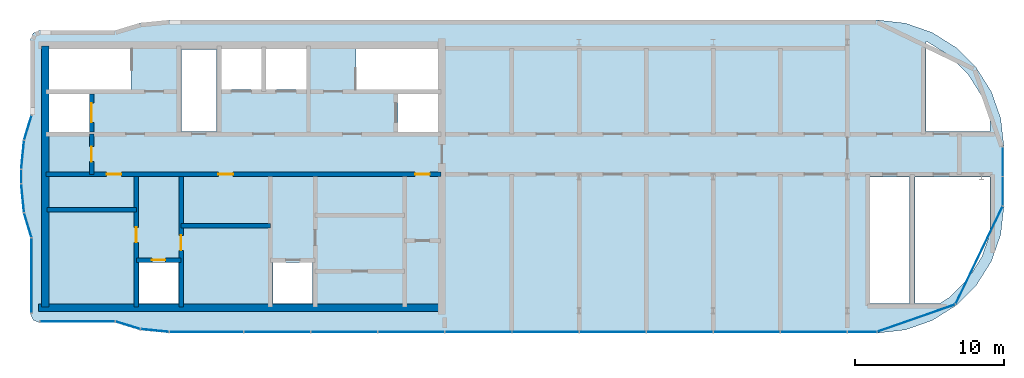
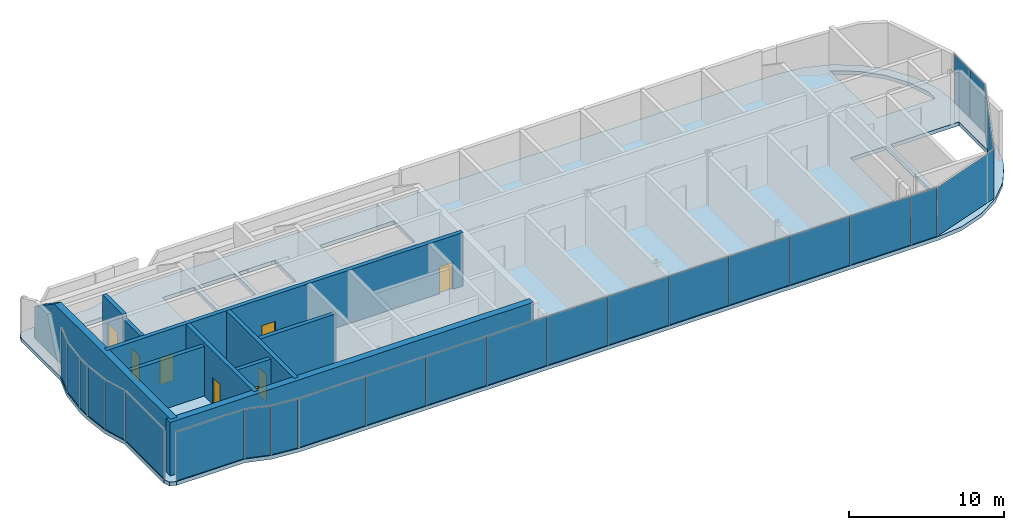
# One storey, part 6 of 9: 24 plates, 10 walls, 8 doors, 1 slab, 8 openings, 13 elements without a shape of their own.
"""IFC4 building model written with IfcOpenShell, lengths in metres."""

import ifcopenshell
import ifcopenshell.guid

model = None  # the IFC model being written
_history = None  # IfcOwnerHistory: only IFC2X3 demands one
_inside = {}  # id of a spatial element -> (the spatial element, [elements in it])
_under = {}  # id of a project, library or spatial element -> (it, [spatial elements below it])
_declared = {}  # id of a project -> (the project, [libraries it declares])
_typed = {}  # id of a type object -> (the type object, [elements of that type])
_made_of = {}  # id of a material, layer set ... -> (it, [elements and type objects made of it])


def new_model(schema):
    """Start an empty IFC model of exactly this schema.

    Asked for "IFC4X3", IfcOpenShell would pick the latest addendum, in which some entities
    have other attributes; the version numbers below select the first issue.
    IFC2X3 requires an IfcOwnerHistory on every rooted entity: one is made here for all.
    """
    global model, _history
    if schema == "IFC4X3":
        model = ifcopenshell.file(schema_version=(4, 3, 0, 0))
    else:
        model = ifcopenshell.file(schema=schema)
    _inside.clear()
    _under.clear()
    _declared.clear()
    _typed.clear()
    _made_of.clear()
    _history = None
    if model.schema == "IFC2X3":
        org = make("IfcOrganization", Name="unknown")
        user = make(
            "IfcPersonAndOrganization",
            ThePerson=make("IfcPerson", FamilyName="unknown"),
            TheOrganization=org,
        )
        app = make(
            "IfcApplication",
            ApplicationDeveloper=org,
            Version="unknown",
            ApplicationFullName="unknown",
            ApplicationIdentifier="unknown",
        )
        _history = make(
            "IfcOwnerHistory",
            OwningUser=user,
            OwningApplication=app,
            ChangeAction="ADDED",
            CreationDate=0,
        )
    return model


def make(cls, **values):
    """One entity of the class cls with the attributes given. An attribute that is None is left unset."""
    return model.create_entity(
        cls, **{name: value for name, value in values.items() if value is not None}
    )


def rooted(cls, **values):
    """An entity with a GlobalId (a new one), such as an element, a storey or a relation."""
    return make(cls, GlobalId=ifcopenshell.guid.new(), OwnerHistory=_history, **values)


def si_unit(unit_type, name, prefix=None):
    """IfcSIUnit, for example si_unit("LENGTHUNIT", "METRE", prefix="MILLI")."""
    return make("IfcSIUnit", UnitType=unit_type, Prefix=prefix, Name=name)


def assignment(units):
    """IfcUnitAssignment: the units of a project."""
    return None if units is None else make("IfcUnitAssignment", Units=units)


def point(xyz):
    """IfcCartesianPoint."""
    return None if xyz is None else make("IfcCartesianPoint", Coordinates=xyz)


def direction(xyz):
    """IfcDirection."""
    return None if xyz is None else make("IfcDirection", DirectionRatios=xyz)


def frame(location, z_axis=None, x_axis=None):
    """IfcAxis2Placement3D, a coordinate frame: its origin and axes. An axis left out is left unset."""
    return make(
        "IfcAxis2Placement3D",
        Location=point(location),
        Axis=direction(z_axis),
        RefDirection=direction(x_axis),
    )


def frame_2d(location, x_axis=None):
    """IfcAxis2Placement2D, a coordinate frame in the plane: its origin and x axis."""
    return make(
        "IfcAxis2Placement2D", Location=point(location), RefDirection=direction(x_axis)
    )


def origin():
    """The frame at (0, 0, 0) with its axes left unset."""
    return frame((0.0, 0.0, 0.0))


def origin_2d():
    """The frame at (0, 0) in the plane with its x axis left unset."""
    return frame_2d((0.0, 0.0))


def place(relative_to, where):
    """IfcLocalPlacement: puts the frame where relative to a parent placement (None: the world)."""
    return make(
        "IfcLocalPlacement", PlacementRelTo=relative_to, RelativePlacement=where
    )


def context(
    kind, dimensions, precision=None, world=None, true_north=None, identifier=None
):
    """IfcGeometricRepresentationContext, for example the 3D "Model" context."""
    return make(
        "IfcGeometricRepresentationContext",
        ContextIdentifier=identifier,
        ContextType=kind,
        CoordinateSpaceDimension=dimensions,
        Precision=precision,
        WorldCoordinateSystem=world,
        TrueNorth=true_north,
    )


def subcontext(parent, identifier, kind, view, scale=None):
    """IfcGeometricRepresentationSubContext, for example "Body" below "Model"."""
    return make(
        "IfcGeometricRepresentationSubContext",
        ContextIdentifier=identifier,
        ContextType=kind,
        ParentContext=parent,
        TargetScale=scale,
        TargetView=view,
    )


def project(units=None, contexts=None):
    """IfcProject with its units and contexts."""
    return rooted(
        "IfcProject",
        Name="project",
        RepresentationContexts=contexts,
        UnitsInContext=assignment(units),
    )


def spatial(cls, under=None, at=None, **own):
    """A site, building, storey or space (cls), placed at a placement, below another one or the project."""
    s = rooted(cls, ObjectPlacement=at, **own)
    if under is not None:
        _under.setdefault(under.id(), (under, []))[1].append(s)
    return s


def polyline(points):
    """IfcPolyline through the points."""
    return make("IfcPolyline", Points=[point(p) for p in points])


def profile(cls, at=None, kind="AREA", **sizes):
    """A parametric profile (cls). Its sizes go by their IFC names, for example OverallWidth=200.0."""
    return make(cls, ProfileType=kind, Position=at, **sizes)


def rectangle(**sizes):
    """IfcRectangleProfileDef."""
    return profile("IfcRectangleProfileDef", **sizes)


def outline(outer, holes=None, kind="AREA"):
    """IfcArbitraryClosedProfileDef: a profile drawn as a closed curve; with holes, ...WithVoids."""
    if holes is None:
        return make("IfcArbitraryClosedProfileDef", ProfileType=kind, OuterCurve=outer)
    return make(
        "IfcArbitraryProfileDefWithVoids",
        ProfileType=kind,
        OuterCurve=outer,
        InnerCurves=holes,
    )


def extrude(swept, where, along, depth):
    """IfcExtrudedAreaSolid: the profile swept, set in the frame where, extruded along a direction by depth."""
    return make(
        "IfcExtrudedAreaSolid",
        SweptArea=swept,
        Position=where,
        ExtrudedDirection=direction(along),
        Depth=depth,
    )


def shape(context_of_items, identifier, shape_type, items):
    """IfcShapeRepresentation: the items that make up one representation, for example the "Body"."""
    return make(
        "IfcShapeRepresentation",
        ContextOfItems=context_of_items,
        RepresentationIdentifier=identifier,
        RepresentationType=shape_type,
        Items=items,
    )


def material(Name=None, Category=None):
    """IfcMaterial."""
    return make("IfcMaterial", Name=Name, Category=Category)


def layer(
    of_material, thickness, ventilated=None, Name=None, Category=None, Priority=None
):
    """IfcMaterialLayer: one layer of a wall or slab, of a material (None: an air gap)."""
    return make(
        "IfcMaterialLayer",
        Material=of_material,
        LayerThickness=thickness,
        IsVentilated=ventilated,
        Name=Name,
        Category=Category,
        Priority=Priority,
    )


def layer_set(layers, Name=None):
    """IfcMaterialLayerSet."""
    return make("IfcMaterialLayerSet", MaterialLayers=layers, LayerSetName=Name)


def made_of(thing, what):
    """Note that an element or type object is made of a material, layer set ...; save() writes the relation."""
    if what is not None:
        _made_of.setdefault(what.id(), (what, []))[1].append(thing)
    return thing


def type_object(cls, material=None, **own):
    """A type object (cls), such as IfcWallType, which elements share."""
    return made_of(rooted(cls, **own), material)


def element(
    cls,
    number,
    at=None,
    inside=None,
    cuts=None,
    type_object=None,
    material=None,
    context=None,
    identifier="Body",
    shape_type=None,
    held_by="IfcProductDefinitionShape",
    body=None,
    shapes=None,
    **own,
):
    """One element of the class cls, such as IfcWall. Its Tag is "e" and its number.

    at: its placement. inside: the storey or other place that contains it. cuts: it is an
    opening in that element (IfcRelVoidsElement). A single representation is given by context,
    identifier, shape_type and body (its items); several are given by shapes. held_by: the class
    of the entity that holds the representations. save() writes the other relations.
    """
    e = rooted(cls, Tag="e%d" % number, ObjectPlacement=at, **own)
    if body is not None:
        shapes = [shape(context, identifier, shape_type, body)]
    if shapes is not None:
        e.Representation = make(held_by, Representations=shapes)
    if inside is not None:
        _inside.setdefault(inside.id(), (inside, []))[1].append(e)
    if cuts is not None:
        rooted(
            "IfcRelVoidsElement", RelatingBuildingElement=cuts, RelatedOpeningElement=e
        )
    if type_object is not None:
        _typed.setdefault(type_object.id(), (type_object, []))[1].append(e)
    return made_of(e, material)


def fill(opening, filler):
    """IfcRelFillsElement: the door or window that sits in an opening."""
    return rooted(
        "IfcRelFillsElement",
        RelatingOpeningElement=opening,
        RelatedBuildingElement=filler,
    )


def aggregate(whole, parts):
    """IfcRelAggregates: a whole, such as a stair, and the parts it consists of."""
    return rooted("IfcRelAggregates", RelatingObject=whole, RelatedObjects=parts)


def save(model, path):
    """Write the relations noted so far, then the file.

    IfcRelAggregates (storeys below a building ...), IfcRelContainedInSpatialStructure (elements
    in a storey), IfcRelDefinesByType, IfcRelAssociatesMaterial and IfcRelDeclares: one each for
    every whole, place, type object, material and project.
    """
    for whole, parts in _under.values():
        aggregate(whole, parts)
    for where, things in _inside.values():
        rooted(
            "IfcRelContainedInSpatialStructure",
            RelatedElements=things,
            RelatingStructure=where,
        )
    for kind, things in _typed.values():
        rooted("IfcRelDefinesByType", RelatedObjects=things, RelatingType=kind)
    for what, things in _made_of.values():
        rooted("IfcRelAssociatesMaterial", RelatedObjects=things, RelatingMaterial=what)
    for by, libraries in _declared.values():
        rooted("IfcRelDeclares", RelatingContext=by, RelatedDefinitions=libraries)
    model.write(path)


model = new_model("IFC4")

# Units and contexts
model_context = context("Model", 3, precision=1e-05, world=origin(), true_north=direction((0.0, 1.0)))
body_context = subcontext(model_context, "Body", "Model", "MODEL_VIEW")
ifc_project = project(units=[si_unit("LENGTHUNIT", "METRE"), si_unit("AREAUNIT", "SQUARE_METRE"), si_unit("VOLUMEUNIT", "CUBIC_METRE"), si_unit("PLANEANGLEUNIT", "RADIAN"), si_unit("MASSUNIT", "GRAM", prefix="KILO")], contexts=[model_context])

# Site, building, storey
site_placement = place(None, origin())
site = spatial("IfcSite", under=ifc_project, at=site_placement, CompositionType="ELEMENT")
building_placement = place(site_placement, origin())
building = spatial("IfcBuilding", under=site, at=building_placement, Name="Ogive Portal Towers", CompositionType="ELEMENT")
storey_placement = place(building_placement, frame((0.0, 0.0, 281.300048828125)))
storey = spatial("IfcBuildingStorey", under=building, at=storey_placement, Name="L68", CompositionType="ELEMENT", Elevation=281.300048828125)

# Curtain wall, plate
ifc_material_1 = material(Name="Glass, clear low-iron insulated glazing", Category="glass")
curtain_wall_type = type_object("IfcCurtainWallType", Name="CW CROWN GLAZING", PredefinedType="NOTDEFINED", material=ifc_material_1)
curtain_wall_1_placement = place(storey_placement, origin())
curtain_wall_1 = element("IfcCurtainWall", 1, at=curtain_wall_1_placement, inside=storey, type_object=curtain_wall_type, Name="A:L68:c00:cw", PredefinedType="NOTDEFINED")
ifc_layer_1 = layer(ifc_material_1, 0.028076171875)
ifc_layer_set_1 = layer_set([ifc_layer_1], Name="CW PANEL IGU 28")
plate_type = type_object("IfcPlateType", Name="CW PANEL IGU 28", PredefinedType="CURTAIN_PANEL", material=ifc_layer_set_1)
plate_1_placement = place(storey_placement, frame((30.780029296875, 23.851318359375, 0.0), z_axis=(0.0, 0.0, 1.0), x_axis=(0.0, -1.0, 0.0)))
plate_1 = element("IfcPlate", 2, at=plate_1_placement, type_object=plate_type, Name="panel", PredefinedType="CURTAIN_PANEL", context=body_context, shape_type="SweptSolid", body=[
    extrude(rectangle(XDim=5.010986328125, YDim=0.028076171875, at=origin_2d()), origin(), (0.0, 0.0, 1.0), 3.840087890625),
])
aggregate(curtain_wall_1, [plate_1])

curtain_wall_2_placement = place(storey_placement, origin())
curtain_wall_2 = element("IfcCurtainWall", 3, at=curtain_wall_2_placement, inside=storey, type_object=curtain_wall_type, Name="A:L68:c03:cw", PredefinedType="NOTDEFINED")
plate_2_placement = place(storey_placement, frame((33.851318359375, 20.780029296875, 0.0), z_axis=(0.0, 0.0, 1.0), x_axis=(1.0, 0.0, 0.0)))
plate_2 = element("IfcPlate", 4, at=plate_2_placement, type_object=plate_type, Name="panel", PredefinedType="CURTAIN_PANEL", context=body_context, shape_type="SweptSolid", body=[
    extrude(rectangle(XDim=5.010986328125, YDim=0.028076171875, at=origin_2d()), origin(), (0.0, 0.0, 1.0), 3.840087890625),
])
aggregate(curtain_wall_2, [plate_2])

curtain_wall_3_placement = place(storey_placement, origin())
curtain_wall_3 = element("IfcCurtainWall", 5, at=curtain_wall_3_placement, inside=storey, type_object=curtain_wall_type, Name="A:L68:c04:cw", PredefinedType="NOTDEFINED")
plate_3_placement = place(storey_placement, frame((37.225830078125, 20.525390625, 0.0), z_axis=(0.0, 0.0, 1.0), x_axis=(0.956940335732, -0.290284677254, 0.0)))
plate_3 = element("IfcPlate", 6, at=plate_3_placement, type_object=plate_type, Name="panel", PredefinedType="CURTAIN_PANEL", context=body_context, shape_type="SweptSolid", body=[
    extrude(rectangle(XDim=1.693603515625, YDim=0.028076171875, at=origin_2d()), origin(), (0.0, 0.0, 1.0), 3.840087890625),
])
aggregate(curtain_wall_3, [plate_3])

curtain_wall_4_placement = place(storey_placement, origin())
curtain_wall_4 = element("IfcCurtainWall", 7, at=curtain_wall_4_placement, inside=storey, type_object=curtain_wall_type, Name="A:L68:c05:cw", PredefinedType="NOTDEFINED")
plate_4_placement = place(storey_placement, frame((39.034423828125, 20.175537109375, 0.0), z_axis=(0.0, 0.0, 1.0), x_axis=(0.995184726672, -0.09801714033, 0.0)))
plate_4 = element("IfcPlate", 8, at=plate_4_placement, type_object=plate_type, Name="panel", PredefinedType="CURTAIN_PANEL", context=body_context, shape_type="SweptSolid", body=[
    extrude(rectangle(XDim=1.888427734375, YDim=0.028076171875, at=origin_2d()), origin(), (0.0, 0.0, 1.0), 3.840087890625),
])
aggregate(curtain_wall_4, [plate_4])

# Curtain wall, plates
curtain_wall_5_placement = place(storey_placement, origin())
curtain_wall_5 = element("IfcCurtainWall", 9, at=curtain_wall_5_placement, inside=storey, type_object=curtain_wall_type, Name="A:L68:c06:cw", PredefinedType="NOTDEFINED")
plate_5_placement = place(storey_placement, frame((42.501953125, 20.080078125, 0.0), z_axis=(0.0, 0.0, 1.0), x_axis=(1.0, 0.0, 0.0)))
plate_5 = element("IfcPlate", 10, at=plate_5_placement, type_object=plate_type, Name="panel", PredefinedType="CURTAIN_PANEL", context=body_context, shape_type="SweptSolid", body=[
    extrude(rectangle(XDim=4.93603515625, YDim=0.028076171875, at=origin_2d()), origin(), (0.0, 0.0, 1.0), 3.840087890625),
])
plate_6_placement = place(storey_placement, frame((47.25, 20.080078125, 0.0), z_axis=(0.0, 0.0, 1.0), x_axis=(1.0, 0.0, 0.0)))
plate_6 = element("IfcPlate", 11, at=plate_6_placement, type_object=plate_type, Name="panel", PredefinedType="CURTAIN_PANEL", context=body_context, shape_type="SweptSolid", body=[
    extrude(rectangle(XDim=4.43994140625, YDim=0.028076171875, at=origin_2d()), origin(), (0.0, 0.0, 1.0), 3.840087890625),
])
plate_7_placement = place(storey_placement, frame((51.75, 20.080078125, 0.0), z_axis=(0.0, 0.0, 1.0), x_axis=(1.0, 0.0, 0.0)))
plate_7 = element("IfcPlate", 12, at=plate_7_placement, type_object=plate_type, Name="panel", PredefinedType="CURTAIN_PANEL", context=body_context, shape_type="SweptSolid", body=[
    extrude(rectangle(XDim=4.43994140625, YDim=0.028076171875, at=origin_2d()), origin(), (0.0, 0.0, 1.0), 3.840087890625),
])
plate_8_placement = place(storey_placement, frame((56.25, 20.080078125, 0.0), z_axis=(0.0, 0.0, 1.0), x_axis=(1.0, 0.0, 0.0)))
plate_8 = element("IfcPlate", 13, at=plate_8_placement, type_object=plate_type, Name="panel", PredefinedType="CURTAIN_PANEL", context=body_context, shape_type="SweptSolid", body=[
    extrude(rectangle(XDim=4.43994140625, YDim=0.028076171875, at=origin_2d()), origin(), (0.0, 0.0, 1.0), 3.840087890625),
])
plate_9_placement = place(storey_placement, frame((60.75, 20.080078125, 0.0), z_axis=(0.0, 0.0, 1.0), x_axis=(1.0, 0.0, 0.0)))
plate_9 = element("IfcPlate", 14, at=plate_9_placement, type_object=plate_type, Name="panel", PredefinedType="CURTAIN_PANEL", context=body_context, shape_type="SweptSolid", body=[
    extrude(rectangle(XDim=4.43994140625, YDim=0.028076171875, at=origin_2d()), origin(), (0.0, 0.0, 1.0), 3.840087890625),
])
plate_10_placement = place(storey_placement, frame((65.25, 20.080078125, 0.0), z_axis=(0.0, 0.0, 1.0), x_axis=(1.0, 0.0, 0.0)))
plate_10 = element("IfcPlate", 15, at=plate_10_placement, type_object=plate_type, Name="panel", PredefinedType="CURTAIN_PANEL", context=body_context, shape_type="SweptSolid", body=[
    extrude(rectangle(XDim=4.43994140625, YDim=0.028076171875, at=origin_2d()), origin(), (0.0, 0.0, 1.0), 3.840087890625),
])
plate_11_placement = place(storey_placement, frame((69.75, 20.080078125, 0.0), z_axis=(0.0, 0.0, 1.0), x_axis=(1.0, 0.0, 0.0)))
plate_11 = element("IfcPlate", 16, at=plate_11_placement, type_object=plate_type, Name="panel", PredefinedType="CURTAIN_PANEL", context=body_context, shape_type="SweptSolid", body=[
    extrude(rectangle(XDim=4.43994140625, YDim=0.028076171875, at=origin_2d()), origin(), (0.0, 0.0, 1.0), 3.840087890625),
])
plate_12_placement = place(storey_placement, frame((74.25, 20.080078125, 0.0), z_axis=(0.0, 0.0, 1.0), x_axis=(1.0, 0.0, 0.0)))
plate_12 = element("IfcPlate", 17, at=plate_12_placement, type_object=plate_type, Name="panel", PredefinedType="CURTAIN_PANEL", context=body_context, shape_type="SweptSolid", body=[
    extrude(rectangle(XDim=4.43994140625, YDim=0.028076171875, at=origin_2d()), origin(), (0.0, 0.0, 1.0), 3.840087890625),
])
plate_13_placement = place(storey_placement, frame((78.75, 20.080078125, 0.0), z_axis=(0.0, 0.0, 1.0), x_axis=(1.0, 0.0, 0.0)))
plate_13 = element("IfcPlate", 18, at=plate_13_placement, type_object=plate_type, Name="panel", PredefinedType="CURTAIN_PANEL", context=body_context, shape_type="SweptSolid", body=[
    extrude(rectangle(XDim=4.43994140625, YDim=0.028076171875, at=origin_2d()), origin(), (0.0, 0.0, 1.0), 3.840087890625),
])
plate_14_placement = place(storey_placement, frame((83.25, 20.080078125, 0.0), z_axis=(0.0, 0.0, 1.0), x_axis=(1.0, 0.0, 0.0)))
plate_14 = element("IfcPlate", 19, at=plate_14_placement, type_object=plate_type, Name="panel", PredefinedType="CURTAIN_PANEL", context=body_context, shape_type="SweptSolid", body=[
    extrude(rectangle(XDim=4.43994140625, YDim=0.028076171875, at=origin_2d()), origin(), (0.0, 0.0, 1.0), 3.840087890625),
])
plate_15_placement = place(storey_placement, frame((86.4931640625, 20.080078125, 0.0), z_axis=(0.0, 0.0, 1.0), x_axis=(1.0, 0.0, 0.0)))
plate_15 = element("IfcPlate", 20, at=plate_15_placement, type_object=plate_type, Name="panel", PredefinedType="CURTAIN_PANEL", context=body_context, shape_type="SweptSolid", body=[
    extrude(rectangle(XDim=1.926513671875, YDim=0.028076171875, at=origin_2d()), origin(), (0.0, 0.0, 1.0), 3.840087890625),
])
aggregate(curtain_wall_5, [plate_5, plate_6, plate_7, plate_8, plate_9, plate_10, plate_11, plate_12, plate_13, plate_14, plate_15])

# Curtain wall, plate
curtain_wall_6_placement = place(storey_placement, origin())
curtain_wall_6 = element("IfcCurtainWall", 21, at=curtain_wall_6_placement, inside=storey, type_object=curtain_wall_type, Name="A:L68:c07:cw", PredefinedType="NOTDEFINED")
plate_16_placement = place(storey_placement, frame((90.1142578125, 20.99951171875, 0.0), z_axis=(0.0, 0.0, 1.0), x_axis=(0.943883330307, 0.33027906196, 0.0)))
plate_16 = element("IfcPlate", 22, at=plate_16_placement, type_object=plate_type, Name="panel", PredefinedType="CURTAIN_PANEL", context=body_context, shape_type="SweptSolid", body=[
    extrude(rectangle(XDim=5.508056640625, YDim=0.028076171875, at=origin_2d()), origin(), (0.0, 0.0, 1.0), 3.840087890625),
])
aggregate(curtain_wall_6, [plate_16])

curtain_wall_7_placement = place(storey_placement, origin())
curtain_wall_7 = element("IfcCurtainWall", 23, at=curtain_wall_7_placement, inside=storey, type_object=curtain_wall_type, Name="A:L68:c08:cw", PredefinedType="NOTDEFINED")
plate_17_placement = place(storey_placement, frame((94.3310546875, 25.21875, 0.0), z_axis=(0.0, 0.0, 1.0), x_axis=(0.433883739113, 0.900968867905, 0.0)))
plate_17 = element("IfcPlate", 24, at=plate_17_placement, type_object=plate_type, Name="panel", PredefinedType="CURTAIN_PANEL", context=body_context, shape_type="SweptSolid", body=[
    extrude(rectangle(XDim=7.2646484375, YDim=0.028076171875, at=origin_2d()), origin(), (0.0, 0.0, 1.0), 3.840087890625),
])
aggregate(curtain_wall_7, [plate_17])

# Curtain wall, plates
curtain_wall_8_placement = place(storey_placement, origin())
curtain_wall_8 = element("IfcCurtainWall", 25, at=curtain_wall_8_placement, inside=storey, type_object=curtain_wall_type, Name="A:L68:c09:cw", PredefinedType="NOTDEFINED")
plate_18_placement = place(storey_placement, frame((95.919921875, 29.509033203125, 0.0), z_axis=(0.0, 0.0, 1.0), x_axis=(0.0, 1.0, 0.0)))
plate_18 = element("IfcPlate", 26, at=plate_18_placement, type_object=plate_type, Name="panel", PredefinedType="CURTAIN_PANEL", context=body_context, shape_type="SweptSolid", body=[
    extrude(rectangle(XDim=1.921630859375, YDim=0.028076171875, at=origin_2d()), origin(), (0.0, 0.0, 1.0), 3.840087890625),
])
plate_19_placement = place(storey_placement, frame((95.919921875, 31.4931640625, 0.0), z_axis=(0.0, 0.0, 1.0), x_axis=(0.0, 1.0, 0.0)))
plate_19 = element("IfcPlate", 27, at=plate_19_placement, type_object=plate_type, Name="panel", PredefinedType="CURTAIN_PANEL", context=body_context, shape_type="SweptSolid", body=[
    extrude(rectangle(XDim=1.926513671875, YDim=0.028076171875, at=origin_2d()), origin(), (0.0, 0.0, 1.0), 3.840087890625),
])
aggregate(curtain_wall_8, [plate_18, plate_19])

# Curtain wall, plate
curtain_wall_9_placement = place(storey_placement, origin())
curtain_wall_9 = element("IfcCurtainWall", 28, at=curtain_wall_9_placement, inside=storey, type_object=curtain_wall_type, Name="A:L68:c19:cw", PredefinedType="NOTDEFINED")
plate_20_placement = place(storey_placement, frame((30.525390625, 33.774169921875, 0.0), z_axis=(0.0, 0.0, 1.0), x_axis=(-0.290284677254, -0.956940335732, 0.0)))
plate_20 = element("IfcPlate", 29, at=plate_20_placement, type_object=plate_type, Name="panel", PredefinedType="CURTAIN_PANEL", context=body_context, shape_type="SweptSolid", body=[
    extrude(rectangle(XDim=1.693603515625, YDim=0.028076171875, at=origin_2d()), origin(), (0.0, 0.0, 1.0), 3.840087890625),
])
aggregate(curtain_wall_9, [plate_20])

curtain_wall_10_placement = place(storey_placement, origin())
curtain_wall_10 = element("IfcCurtainWall", 30, at=curtain_wall_10_placement, inside=storey, type_object=curtain_wall_type, Name="A:L68:c20:cw", PredefinedType="NOTDEFINED")
plate_21_placement = place(storey_placement, frame((30.175537109375, 31.965576171875, 0.0), z_axis=(0.0, 0.0, 1.0), x_axis=(-0.09801714033, -0.995184726672, 0.0)))
plate_21 = element("IfcPlate", 31, at=plate_21_placement, type_object=plate_type, Name="panel", PredefinedType="CURTAIN_PANEL", context=body_context, shape_type="SweptSolid", body=[
    extrude(rectangle(XDim=1.888427734375, YDim=0.028076171875, at=origin_2d()), origin(), (0.0, 0.0, 1.0), 3.840087890625),
])
aggregate(curtain_wall_10, [plate_21])

curtain_wall_11_placement = place(storey_placement, origin())
curtain_wall_11 = element("IfcCurtainWall", 32, at=curtain_wall_11_placement, inside=storey, type_object=curtain_wall_type, Name="A:L68:c21:cw", PredefinedType="NOTDEFINED")
plate_22_placement = place(storey_placement, frame((30.080078125, 30.5, 0.0), z_axis=(0.0, 0.0, 1.0), x_axis=(0.0, -1.0, 0.0)))
plate_22 = element("IfcPlate", 33, at=plate_22_placement, type_object=plate_type, Name="panel", PredefinedType="CURTAIN_PANEL", context=body_context, shape_type="SweptSolid", body=[
    extrude(rectangle(XDim=0.93212890625, YDim=0.028076171875, at=origin_2d()), origin(), (0.0, 0.0, 1.0), 3.840087890625),
])
aggregate(curtain_wall_11, [plate_22])

curtain_wall_12_placement = place(storey_placement, origin())
curtain_wall_12 = element("IfcCurtainWall", 34, at=curtain_wall_12_placement, inside=storey, type_object=curtain_wall_type, Name="A:L68:c22:cw", PredefinedType="NOTDEFINED")
plate_23_placement = place(storey_placement, frame((30.175537109375, 29.034423828125, 0.0), z_axis=(0.0, 0.0, 1.0), x_axis=(0.09801714033, -0.995184726672, 0.0)))
plate_23 = element("IfcPlate", 35, at=plate_23_placement, type_object=plate_type, Name="panel", PredefinedType="CURTAIN_PANEL", context=body_context, shape_type="SweptSolid", body=[
    extrude(rectangle(XDim=1.888427734375, YDim=0.028076171875, at=origin_2d()), origin(), (0.0, 0.0, 1.0), 3.840087890625),
])
aggregate(curtain_wall_12, [plate_23])

curtain_wall_13_placement = place(storey_placement, origin())
curtain_wall_13 = element("IfcCurtainWall", 36, at=curtain_wall_13_placement, inside=storey, type_object=curtain_wall_type, Name="A:L68:c23:cw", PredefinedType="NOTDEFINED")
plate_24_placement = place(storey_placement, frame((30.525390625, 27.225830078125, 0.0), z_axis=(0.0, 0.0, 1.0), x_axis=(0.290284677254, -0.956940335732, 0.0)))
plate_24 = element("IfcPlate", 37, at=plate_24_placement, type_object=plate_type, Name="panel", PredefinedType="CURTAIN_PANEL", context=body_context, shape_type="SweptSolid", body=[
    extrude(rectangle(XDim=1.693603515625, YDim=0.028076171875, at=origin_2d()), origin(), (0.0, 0.0, 1.0), 3.840087890625),
])
aggregate(curtain_wall_13, [plate_24])

# Slab
ifc_material_2 = material(Name="Concrete C45/55", Category="concrete")
ifc_layer_2 = layer(ifc_material_2, 0.300048828125)
ifc_layer_set_2 = layer_set([ifc_layer_2], Name="PT ROOF SLAB 300")
slab_type = type_object("IfcSlabType", Name="PT ROOF SLAB 300", PredefinedType="ROOF", material=ifc_layer_set_2)
slab_placement = place(storey_placement, frame((0.0, 0.0, -0.300048828125)))
element("IfcSlab", 38, at=slab_placement, inside=storey, type_object=slab_type, Name="Crown deck L68", PredefinedType="ROOF", context=body_context, shape_type="SweptSolid", body=[
    extrude(outline(polyline([(30.0, 30.0), (30.192138671875, 28.049072265625), (30.699951171875, 26.375), (30.699951171875, 21.300048828125), (30.875732421875, 20.875732421875), (31.300048828125, 20.699951171875), (36.375, 20.699951171875), (38.049072265625, 20.192138671875), (40.0, 20.0), (87.5, 20.0), (89.391357421875, 20.213134765625), (91.18798828125, 20.841796875), (92.7998046875, 21.8544921875), (94.1455078125, 23.2001953125), (95.158203125, 24.81201171875), (95.786865234375, 26.608642578125), (96.0, 28.5), (96.0, 32.5), (95.786865234375, 34.391357421875), (95.158203125, 36.18798828125), (94.1455078125, 37.7998046875), (92.7998046875, 39.1455078125), (91.18798828125, 40.158203125), (89.391357421875, 40.786865234375), (87.5, 41.0), (40.0, 41.0), (38.049072265625, 40.807861328125), (36.375, 40.300048828125), (31.300048828125, 40.300048828125), (30.875732421875, 40.124267578125), (30.699951171875, 39.699951171875), (30.699951171875, 34.625), (30.192138671875, 32.950927734375), (30.0, 31.0), (30.0, 30.0)]), holes=[polyline([(40.6298828125, 24.72998046875), (40.6298828125, 21.969970703125), (37.969970703125, 21.969970703125), (37.969970703125, 24.72998046875), (40.6298828125, 24.72998046875)]), polyline([(34.64990234375, 36.050048828125), (34.64990234375, 33.5), (31.949951171875, 33.5), (31.949951171875, 36.050048828125), (34.64990234375, 36.050048828125)]), polyline([(43.179931640625, 33.52001953125), (40.820068359375, 33.52001953125), (40.820068359375, 39.030029296875), (43.179931640625, 39.030029296875), (43.179931640625, 33.52001953125)]), polyline([(31.951904296875, 36.35205078125), (31.951904296875, 39.048095703125), (37.447998046875, 39.048095703125), (37.447998046875, 36.35205078125), (31.951904296875, 36.35205078125)]), polyline([(46.199951171875, 39.050048828125), (46.199951171875, 36.35009765625), (43.5, 36.35009765625), (43.5, 39.050048828125), (46.199951171875, 39.050048828125)]), polyline([(49.199951171875, 39.050048828125), (49.199951171875, 36.35009765625), (46.5, 36.35009765625), (46.5, 39.050048828125), (49.199951171875, 39.050048828125)]), polyline([(49.6298828125, 24.72998046875), (49.6298828125, 21.969970703125), (46.969970703125, 21.969970703125), (46.969970703125, 24.72998046875), (49.6298828125, 24.72998046875)]), polyline([(89.679931640625, 21.969970703125), (87.02001953125, 21.969970703125), (87.02001953125, 30.47998046875), (89.679931640625, 30.47998046875), (89.679931640625, 21.969970703125)]), polyline([(93.5947265625, 23.639404296875), (92.360595703125, 22.4052734375), (91.66796875, 21.969970703125), (90.02001953125, 21.969970703125), (90.02001953125, 30.47998046875), (95.080078125, 30.47998046875), (95.080078125, 26.707763671875), (94.523681640625, 25.11767578125), (93.5947265625, 23.639404296875)]), polyline([(55.35009765625, 36.050048828125), (58.050048828125, 36.050048828125), (58.050048828125, 33.5), (55.35009765625, 33.5), (55.35009765625, 36.050048828125)]), polyline([(93.5947265625, 37.360595703125), (94.523681640625, 35.88232421875), (95.080078125, 34.292236328125), (95.080078125, 33.52001953125), (90.77001953125, 33.52001953125), (90.77001953125, 39.56298828125), (90.88232421875, 39.523681640625), (92.360595703125, 38.5947265625), (93.5947265625, 37.360595703125)]), polyline([(58.048095703125, 36.35205078125), (52.552001953125, 36.35205078125), (52.552001953125, 39.048095703125), (58.048095703125, 39.048095703125), (58.048095703125, 36.35205078125)])]), origin(), (0.0, 0.0, 1.0), 0.300048828125),
])

# Wall, opening, door
ifc_material_3 = material(Name="Concrete C60/75", Category="concrete")
ifc_layer_3 = layer(ifc_material_3, 0.300048828125)
ifc_layer_set_3 = layer_set([ifc_layer_3], Name="CORE WALL 300 C60")
wall_type_1 = type_object("IfcWallType", Name="CORE WALL 300 C60", PredefinedType="SHEAR", material=ifc_layer_set_3)
wall_1_placement = place(storey_placement, frame((37.800048828125, 21.75, 0.0), z_axis=(0.0, 0.0, 1.0), x_axis=(0.0, 1.0, 0.0)))
wall_1 = element("IfcWall", 39, at=wall_1_placement, inside=storey, type_object=wall_type_1, Name="Core wall X1 L68", PredefinedType="SHEAR", context=body_context, shape_type="SweptSolid", body=[
    extrude(rectangle(XDim=8.75, YDim=0.300048828125, at=frame_2d((4.375, 0.0))), origin(), (0.0, 0.0, 1.0), 4.199951171875),
])
opening_1_placement = place(wall_1_placement, frame((4.337890625, 0.0, 0.0)))
opening_1 = element("IfcOpeningElement", 40, at=opening_1_placement, cuts=wall_1, Name="Opening D34-017", PredefinedType="OPENING", context=body_context, shape_type="SweptSolid", body=[
    extrude(rectangle(XDim=1.0, YDim=2.10009765625, at=frame_2d((0.5, 1.050048828125))), frame((0.0, 0.16015625, 0.0), z_axis=(0.0, -1.0, 0.0), x_axis=(1.0, 0.0, 0.0)), (0.0, 0.0, 1.0), 0.320068359375),
])
ifc_material_4 = material(Name="Steel fire door", Category="steel")
door_type_1 = type_object("IfcDoorType", Name="DT-SWING-1000x2100-FD90S", OperationType="SINGLE_SWING_LEFT", PredefinedType="DOOR", material=ifc_material_4)
door_1_placement = place(opening_1_placement, origin())
door_1 = element("IfcDoor", 41, at=door_1_placement, inside=storey, type_object=door_type_1, Name="Door D34-017", OperationType="SINGLE_SWING_RIGHT", OverallHeight=2.10009765625, OverallWidth=1.0, PredefinedType="DOOR", context=body_context, shape_type="SweptSolid", body=[
    extrude(rectangle(XDim=1.0, YDim=2.10009765625, at=frame_2d((0.5, 1.050048828125))), frame((0.0, 0.02490234375, 0.0), z_axis=(0.0, -1.0, 0.0), x_axis=(1.0, 0.0, 0.0)), (0.0, 0.0, 1.0), 0.050048828125),
])
fill(opening_1, door_1)

wall_2_placement = place(storey_placement, frame((40.800048828125, 21.75, 0.0), z_axis=(0.0, 0.0, 1.0), x_axis=(0.0, 1.0, 0.0)))
wall_2 = element("IfcWall", 42, at=wall_2_placement, inside=storey, type_object=wall_type_1, Name="Core wall X2 L68", PredefinedType="SHEAR", context=body_context, shape_type="SweptSolid", body=[
    extrude(rectangle(XDim=8.75, YDim=0.300048828125, at=frame_2d((4.375, 0.0))), origin(), (0.0, 0.0, 1.0), 4.199951171875),
])
opening_2_placement = place(wall_2_placement, frame((3.800048828125, 0.0, 0.0)))
opening_2 = element("IfcOpeningElement", 43, at=opening_2_placement, cuts=wall_2, Name="Opening D34-019", PredefinedType="OPENING", context=body_context, shape_type="SweptSolid", body=[
    extrude(rectangle(XDim=1.0, YDim=2.10009765625, at=frame_2d((0.5, 1.050048828125))), frame((0.0, 0.16015625, 0.0), z_axis=(0.0, -1.0, 0.0), x_axis=(1.0, 0.0, 0.0)), (0.0, 0.0, 1.0), 0.320068359375),
])
door_2_placement = place(opening_2_placement, origin())
door_2 = element("IfcDoor", 44, at=door_2_placement, inside=storey, type_object=door_type_1, Name="Door D34-019", OperationType="SINGLE_SWING_RIGHT", OverallHeight=2.10009765625, OverallWidth=1.0, PredefinedType="DOOR", context=body_context, shape_type="SweptSolid", body=[
    extrude(rectangle(XDim=1.0, YDim=2.10009765625, at=frame_2d((0.5, 1.050048828125))), frame((0.0, 0.02490234375, 0.0), z_axis=(0.0, -1.0, 0.0), x_axis=(1.0, 0.0, 0.0)), (0.0, 0.0, 1.0), 0.050048828125),
])
fill(opening_2, door_2)

# Wall, openings, doors
wall_3_placement = place(storey_placement, frame((31.75, 30.64990234375, 0.0), z_axis=(0.0, 0.0, 1.0), x_axis=(1.0, 0.0, 0.0)))
wall_3 = element("IfcWall", 45, at=wall_3_placement, inside=storey, type_object=wall_type_1, Name="Core wall Y1 L68", PredefinedType="SHEAR", context=body_context, shape_type="SweptSolid", body=[
    extrude(rectangle(XDim=26.5, YDim=0.300048828125, at=frame_2d((13.25, 0.0))), origin(), (0.0, 0.0, 1.0), 4.199951171875),
])
opening_3_placement = place(wall_3_placement, frame((24.75, 0.0, 0.0)))
opening_3 = element("IfcOpeningElement", 46, at=opening_3_placement, cuts=wall_3, Name="Opening D34-009", PredefinedType="OPENING", context=body_context, shape_type="SweptSolid", body=[
    extrude(rectangle(XDim=1.0, YDim=2.10009765625, at=frame_2d((0.5, 1.050048828125))), frame((0.0, 0.16015625, 0.0), z_axis=(0.0, -1.0, 0.0), x_axis=(1.0, 0.0, 0.0)), (0.0, 0.0, 1.0), 0.320068359375),
])
opening_4_placement = place(wall_3_placement, frame((4.050048828125, 0.0, 0.0)))
opening_4 = element("IfcOpeningElement", 47, at=opening_4_placement, cuts=wall_3, Name="Opening D34-016", PredefinedType="OPENING", context=body_context, shape_type="SweptSolid", body=[
    extrude(rectangle(XDim=1.0, YDim=2.10009765625, at=frame_2d((0.5, 1.050048828125))), frame((0.0, 0.16015625, 0.0), z_axis=(0.0, -1.0, 0.0), x_axis=(1.0, 0.0, 0.0)), (0.0, 0.0, 1.0), 0.320068359375),
])
opening_5_placement = place(wall_3_placement, frame((11.550048828125, 0.0, 0.0)))
opening_5 = element("IfcOpeningElement", 48, at=opening_5_placement, cuts=wall_3, Name="Opening D34-018", PredefinedType="OPENING", context=body_context, shape_type="SweptSolid", body=[
    extrude(rectangle(XDim=1.0, YDim=2.10009765625, at=frame_2d((0.5, 1.050048828125))), frame((0.0, 0.16015625, 0.0), z_axis=(0.0, -1.0, 0.0), x_axis=(1.0, 0.0, 0.0)), (0.0, 0.0, 1.0), 0.320068359375),
])
door_3_placement = place(opening_3_placement, origin())
door_3 = element("IfcDoor", 49, at=door_3_placement, inside=storey, type_object=door_type_1, Name="Door D34-009", OperationType="SINGLE_SWING_LEFT", OverallHeight=2.10009765625, OverallWidth=1.0, PredefinedType="DOOR", context=body_context, shape_type="SweptSolid", body=[
    extrude(rectangle(XDim=1.0, YDim=2.10009765625, at=frame_2d((0.5, 1.050048828125))), frame((0.0, 0.02490234375, 0.0), z_axis=(0.0, -1.0, 0.0), x_axis=(1.0, 0.0, 0.0)), (0.0, 0.0, 1.0), 0.050048828125),
])
fill(opening_3, door_3)
door_4_placement = place(opening_4_placement, origin())
door_4 = element("IfcDoor", 50, at=door_4_placement, inside=storey, type_object=door_type_1, Name="Riser access door D34-016", OperationType="SINGLE_SWING_LEFT", OverallHeight=2.10009765625, OverallWidth=1.0, PredefinedType="DOOR", context=body_context, shape_type="SweptSolid", body=[
    extrude(rectangle(XDim=1.0, YDim=2.10009765625, at=frame_2d((0.5, 1.050048828125))), frame((0.0, 0.02490234375, 0.0), z_axis=(0.0, -1.0, 0.0), x_axis=(1.0, 0.0, 0.0)), (0.0, 0.0, 1.0), 0.050048828125),
])
fill(opening_4, door_4)
door_5_placement = place(opening_5_placement, origin())
door_5 = element("IfcDoor", 51, at=door_5_placement, inside=storey, type_object=door_type_1, Name="Door D34-018", OperationType="SINGLE_SWING_LEFT", OverallHeight=2.10009765625, OverallWidth=1.0, PredefinedType="DOOR", context=body_context, shape_type="SweptSolid", body=[
    extrude(rectangle(XDim=1.0, YDim=2.10009765625, at=frame_2d((0.5, 1.050048828125))), frame((0.0, 0.02490234375, 0.0), z_axis=(0.0, -1.0, 0.0), x_axis=(1.0, 0.0, 0.0)), (0.0, 0.0, 1.0), 0.050048828125),
])
fill(opening_5, door_5)

# Wall, opening, door
wall_4_placement = place(storey_placement, frame((34.800048828125, 33.5, 0.0), z_axis=(0.0, 0.0, 1.0), x_axis=(0.0, 1.0, 0.0)))
wall_4 = element("IfcWall", 52, at=wall_4_placement, inside=storey, type_object=wall_type_1, Name="Core wall X8 L68", PredefinedType="SHEAR", context=body_context, shape_type="SweptSolid", body=[
    extrude(rectangle(XDim=2.550048828125, YDim=0.300048828125, at=frame_2d((1.27490234375, 0.0))), origin(), (0.0, 0.0, 1.0), 4.199951171875),
])
opening_6_placement = place(wall_4_placement, frame((0.625, 0.0, 0.0)))
opening_6 = element("IfcOpeningElement", 53, at=opening_6_placement, cuts=wall_4, Name="Opening D34-014", PredefinedType="OPENING", context=body_context, shape_type="SweptSolid", body=[
    extrude(rectangle(XDim=1.300048828125, YDim=2.39990234375, at=frame_2d((0.64990234375, 1.199951171875))), frame((0.0, 0.16015625, 0.0), z_axis=(0.0, -1.0, 0.0), x_axis=(1.0, 0.0, 0.0)), (0.0, 0.0, 1.0), 0.320068359375),
])
ifc_material_5 = material(Name="Stainless steel", Category="steel")
door_type_2 = type_object("IfcDoorType", Name="DT-LD-1300x2400", OperationType="SLIDING_TO_LEFT", PredefinedType="DOOR", material=ifc_material_5)
door_6_placement = place(opening_6_placement, origin())
door_6 = element("IfcDoor", 54, at=door_6_placement, inside=storey, type_object=door_type_2, Name="Door D34-014", OperationType="SLIDING_TO_LEFT", OverallHeight=2.39990234375, OverallWidth=1.300048828125, PredefinedType="DOOR", context=body_context, shape_type="SweptSolid", body=[
    extrude(rectangle(XDim=1.300048828125, YDim=2.39990234375, at=frame_2d((0.64990234375, 1.199951171875))), frame((0.0, 0.02490234375, 0.0), z_axis=(0.0, -1.0, 0.0), x_axis=(1.0, 0.0, 0.0)), (0.0, 0.0, 1.0), 0.050048828125),
])
fill(opening_6, door_6)

# Walls
ifc_layer_4 = layer(ifc_material_3, 0.5)
ifc_layer_set_4 = layer_set([ifc_layer_4], Name="CORE WALL 500 C60")
wall_type_2 = type_object("IfcWallType", Name="CORE WALL 500 C60", PredefinedType="SHEAR", material=ifc_layer_set_4)
wall_5_placement = place(storey_placement, frame((31.699951171875, 21.75, 0.0), z_axis=(0.0, 0.0, 1.0), x_axis=(0.0, 1.0, 0.0)))
element("IfcWall", 55, at=wall_5_placement, inside=storey, type_object=wall_type_2, Name="Core wall W L68", PredefinedType="SHEAR", context=body_context, shape_type="SweptSolid", body=[
    extrude(outline(polyline([(0.0, 0.0), (17.5, 0.0), (17.5, 2.4599609375), (14.941162109375, 4.199951171875), (0.0, 4.199951171875), (0.0, 0.0)])), frame((0.0, 0.25, 0.0), z_axis=(0.0, -1.0, 0.0), x_axis=(1.0, 0.0, 0.0)), (0.0, 0.0, 1.0), 0.5),
])
wall_6_placement = place(storey_placement, frame((31.25, 21.699951171875, 0.0), z_axis=(0.0, 0.0, 1.0), x_axis=(1.0, 0.0, 0.0)))
element("IfcWall", 56, at=wall_6_placement, inside=storey, type_object=wall_type_2, Name="Core wall S L68", PredefinedType="SHEAR", context=body_context, shape_type="SweptSolid", body=[
    extrude(rectangle(XDim=27.0, YDim=0.5, at=frame_2d((13.5, 0.0))), origin(), (0.0, 0.0, 1.0), 4.199951171875),
])

# Wall, opening, door
ifc_material_6 = material(Name="Gypsum board partition on steel studs", Category="steel")
ifc_layer_5 = layer(ifc_material_6, 0.300048828125)
ifc_layer_set_5 = layer_set([ifc_layer_5], Name="WT-PART-300")
wall_type_3 = type_object("IfcWallType", Name="WT-PART-300", PredefinedType="PARTITIONING", material=ifc_layer_set_5)
wall_7_placement = place(storey_placement, frame((37.800048828125, 24.89990234375, 0.0), z_axis=(0.0, 0.0, 1.0), x_axis=(1.0, 0.0, 0.0)))
wall_7 = element("IfcWall", 57, at=wall_7_placement, inside=storey, type_object=wall_type_3, Name="Wall pw:002:L68", PredefinedType="PARTITIONING", context=body_context, shape_type="SweptSolid", body=[
    extrude(rectangle(XDim=3.0, YDim=0.300048828125, at=frame_2d((1.5, 0.0))), origin(), (0.0, 0.0, 1.0), 3.89990234375),
])
opening_7_placement = place(wall_7_placement, frame((1.050048828125, 0.0, 0.0)))
opening_7 = element("IfcOpeningElement", 58, at=opening_7_placement, cuts=wall_7, Name="Opening D34-007", PredefinedType="OPENING", context=body_context, shape_type="SweptSolid", body=[
    extrude(rectangle(XDim=0.89990234375, YDim=2.10009765625, at=frame_2d((0.449951171875, 1.050048828125))), frame((0.0, 0.16015625, 0.0), z_axis=(0.0, -1.0, 0.0), x_axis=(1.0, 0.0, 0.0)), (0.0, 0.0, 1.0), 0.320068359375),
])
door_type_3 = type_object("IfcDoorType", Name="DT-SWING-900x2100-FD60S", OperationType="SINGLE_SWING_LEFT", PredefinedType="DOOR", material=ifc_material_4)
door_7_placement = place(opening_7_placement, origin())
door_7 = element("IfcDoor", 59, at=door_7_placement, inside=storey, type_object=door_type_3, Name="Riser access door D34-007", OperationType="SINGLE_SWING_LEFT", OverallHeight=2.10009765625, OverallWidth=0.89990234375, PredefinedType="DOOR", context=body_context, shape_type="SweptSolid", body=[
    extrude(rectangle(XDim=0.89990234375, YDim=2.10009765625, at=frame_2d((0.449951171875, 1.050048828125))), frame((0.0, 0.02490234375, 0.0), z_axis=(0.0, -1.0, 0.0), x_axis=(1.0, 0.0, 0.0)), (0.0, 0.0, 1.0), 0.050048828125),
])
fill(opening_7, door_7)

# Walls
for number, where, z_axis, x_axis, name in (
    (60, (40.800048828125, 27.199951171875, 0.0), (0.0, 0.0, 1.0), (1.0, 0.0, 0.0), "Wall pw:005:L68"),
    (61, (31.800048828125, 28.277099609375, 0.0), (0.0, 0.0, 1.0), (1.0, 0.0, 0.0), "Wall pw:007:L68"),
):
    element("IfcWall", number, at=place(storey_placement, frame(where, z_axis=z_axis, x_axis=x_axis)), inside=storey, type_object=wall_type_3, Name=name, PredefinedType="PARTITIONING", context=body_context, shape_type="SweptSolid", body=[
        extrude(rectangle(XDim=6.0, YDim=0.300048828125, at=frame_2d((3.0, 0.0))), origin(), (0.0, 0.0, 1.0), 3.89990234375),
    ])

# Wall, opening, door
ifc_material_7 = material(Name="Concrete C40/50", Category="concrete")
ifc_layer_6 = layer(ifc_material_7, 0.300048828125)
ifc_layer_set_6 = layer_set([ifc_layer_6], Name="WT-SHAFT-300")
wall_type_4 = type_object("IfcWallType", Name="WT-SHAFT-300", PredefinedType="SOLIDWALL", material=ifc_layer_set_6)
wall_8_placement = place(storey_placement, frame((34.800048828125, 30.64990234375, 0.0), z_axis=(0.0, 0.0, 1.0), x_axis=(0.0, 1.0, 0.0)))
wall_8 = element("IfcWall", 62, at=wall_8_placement, inside=storey, type_object=wall_type_4, Name="Wall pw:008:L68", PredefinedType="SOLIDWALL", context=body_context, shape_type="SweptSolid", body=[
    extrude(rectangle(XDim=2.7001953125, YDim=0.300048828125, at=frame_2d((1.35009765625, 0.0))), origin(), (0.0, 0.0, 1.0), 3.89990234375),
])
opening_8_placement = place(wall_8_placement, frame((0.85009765625, 0.0, 0.0)))
opening_8 = element("IfcOpeningElement", 63, at=opening_8_placement, cuts=wall_8, Name="Opening D34-022", PredefinedType="OPENING", context=body_context, shape_type="SweptSolid", body=[
    extrude(rectangle(XDim=1.0, YDim=2.10009765625, at=frame_2d((0.5, 1.050048828125))), frame((0.0, 0.16015625, 0.0), z_axis=(0.0, -1.0, 0.0), x_axis=(1.0, 0.0, 0.0)), (0.0, 0.0, 1.0), 0.320068359375),
])
door_8_placement = place(opening_8_placement, origin())
door_8 = element("IfcDoor", 64, at=door_8_placement, inside=storey, type_object=door_type_1, Name="Door D34-022", OperationType="SINGLE_SWING_LEFT", OverallHeight=2.10009765625, OverallWidth=1.0, PredefinedType="DOOR", context=body_context, shape_type="SweptSolid", body=[
    extrude(rectangle(XDim=1.0, YDim=2.10009765625, at=frame_2d((0.5, 1.050048828125))), frame((0.0, 0.02490234375, 0.0), z_axis=(0.0, -1.0, 0.0), x_axis=(1.0, 0.0, 0.0)), (0.0, 0.0, 1.0), 0.050048828125),
])
fill(opening_8, door_8)

save(model, "model.ifc")
